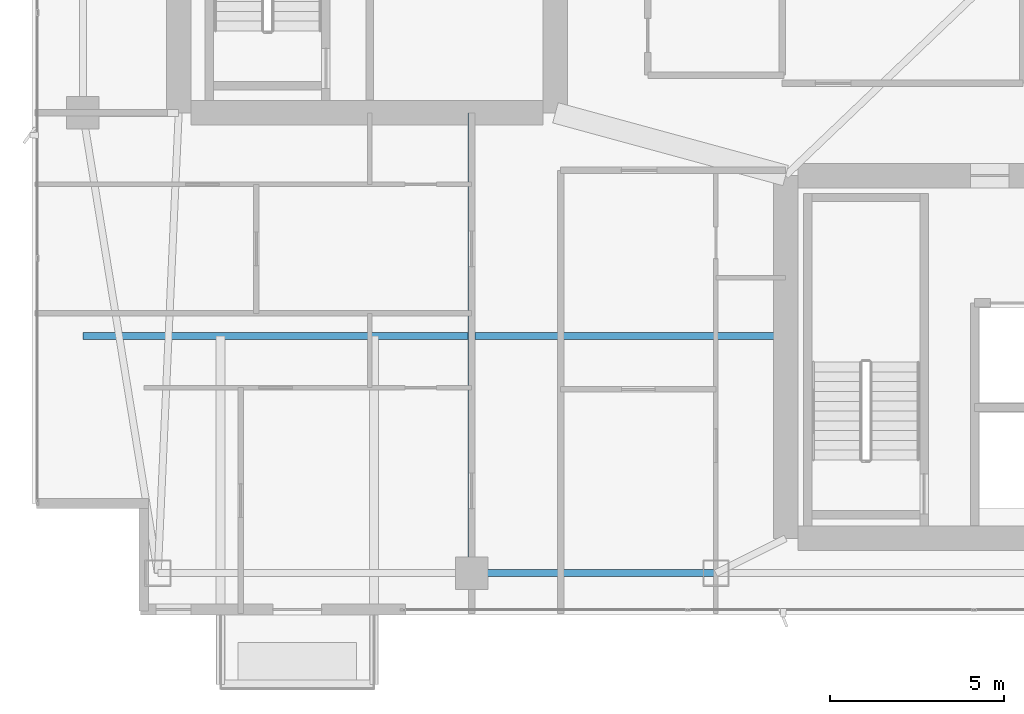
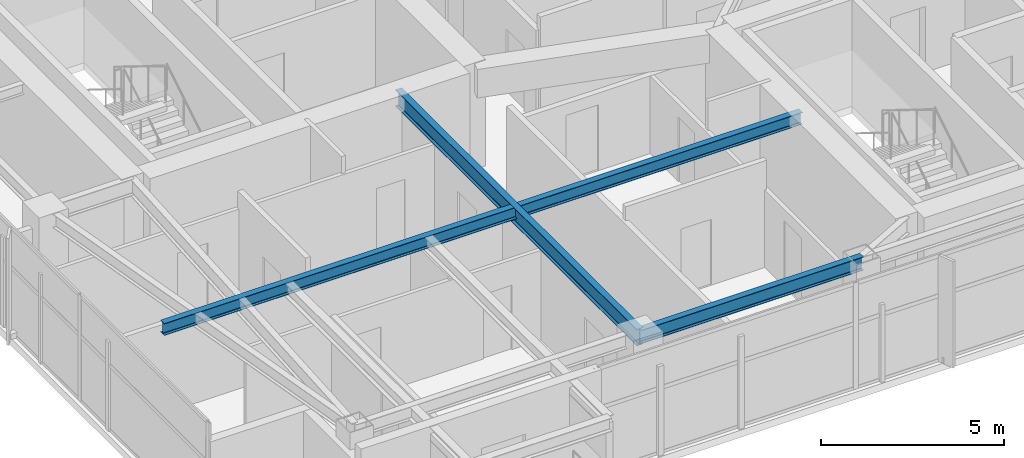
# One storey, part 6 of 29: 3 beams.
"""IFC4 building model written with IfcOpenShell, lengths in metres."""

from ifc_helpers import new_model, si_unit, direction, frame, origin, origin_2d, place, context, subcontext, project, spatial, i_section, extrude, material, material_profile, profile_set, type_object, element, save


model = new_model("IFC4")

# Units and contexts
model_context = context("Model", 3, precision=1e-05, world=origin(), true_north=direction((0.0, 1.0)))
body_context = subcontext(model_context, "Body", "Model", "MODEL_VIEW")
ifc_project = project(units=[si_unit("LENGTHUNIT", "METRE"), si_unit("AREAUNIT", "SQUARE_METRE"), si_unit("VOLUMEUNIT", "CUBIC_METRE"), si_unit("PLANEANGLEUNIT", "RADIAN"), si_unit("MASSUNIT", "GRAM", prefix="KILO")], contexts=[model_context])

# Site, building, storey
site_placement = place(None, origin())
site = spatial("IfcSite", under=ifc_project, at=site_placement, CompositionType="ELEMENT")
building_placement = place(site_placement, origin())
building = spatial("IfcBuilding", under=site, at=building_placement, Name="Calvorn Quay Hotel", CompositionType="ELEMENT")
storey_placement = place(building_placement, frame((0.0, 0.0, 255.199951171875)))
storey = spatial("IfcBuildingStorey", under=building, at=storey_placement, Name="L63", CompositionType="ELEMENT", Elevation=255.199951171875)

# Beams
ifc_material_1 = material(Name="Steel Q355B", Category="steel")
ifc_material_profile_1 = material_profile(ifc_material_1, i_section(OverallWidth=0.199951171875, OverallDepth=0.550048828125, WebThickness=0.010009765625, FlangeThickness=0.01611328125, FilletRadius=0.01806640625, at=origin_2d()), Name="HN550x200x10x16")
ifc_profile_set_1 = profile_set([ifc_material_profile_1], Name="Steel Q355B")
beam_type_1 = type_object("IfcBeamType", Name="BM-GIRD-UPP", PredefinedType="BEAM", material=ifc_profile_set_1)
beam_1_placement = place(storey_placement, frame((12.60009765625, 3.60009765625, 3.26513671875), z_axis=(0.0, 1.0, 0.0), x_axis=(-1.0, 0.0, 0.0)))
element("IfcBeam", 1, at=beam_1_placement, inside=storey, type_object=beam_type_1, Name="Beam BG-L63-S1", PredefinedType="BEAM", context=body_context, shape_type="SweptSolid", body=[
    extrude(i_section(OverallWidth=0.199951171875, OverallDepth=0.550048828125, WebThickness=0.010009765625, FlangeThickness=0.01611328125, FilletRadius=0.01806640625, at=origin_2d()), origin(), (0.0, 0.0, 1.0), 13.199951171875),
])
ifc_material_2 = material(Name="Steel Q355B", Category="steel")
ifc_material_profile_2 = material_profile(ifc_material_2, i_section(OverallWidth=0.199951171875, OverallDepth=0.39990234375, WebThickness=0.008056640625, FlangeThickness=0.012939453125, FilletRadius=0.01611328125, at=origin_2d()), Name="HN400x200x8x13")
ifc_profile_set_2 = profile_set([ifc_material_profile_2], Name="Steel Q355B")
beam_type_2 = type_object("IfcBeamType", Name="BM-JOIST-TYP", PredefinedType="JOIST", material=ifc_profile_set_2)
beam_2_placement = place(storey_placement, frame((1.449951171875, 10.39990234375, 3.340087890625), z_axis=(1.0, 0.0, 0.0), x_axis=(0.0, 1.0, 0.0)))
element("IfcBeam", 2, at=beam_2_placement, inside=storey, type_object=beam_type_2, Name="Beam BJ-L63-W1", PredefinedType="JOIST", context=body_context, shape_type="SweptSolid", body=[
    extrude(i_section(OverallWidth=0.199951171875, OverallDepth=0.39990234375, WebThickness=0.008056640625, FlangeThickness=0.012939453125, FilletRadius=0.01611328125, at=origin_2d()), origin(), (0.0, 0.0, 1.0), 20.150146484375),
])
ifc_material_3 = material(Name="Steel Q355B", Category="steel")
ifc_material_profile_3 = material_profile(ifc_material_3, i_section(OverallWidth=0.199951171875, OverallDepth=0.449951171875, WebThickness=0.009033203125, FlangeThickness=0.013916015625, FilletRadius=0.01611328125, at=origin_2d()), Name="HN450x200x9x14")
ifc_profile_set_3 = profile_set([ifc_material_profile_3], Name="Steel Q355B")
beam_type_3 = type_object("IfcBeamType", Name="BM-SPANDREL-Z3", PredefinedType="SPANDREL", material=ifc_profile_set_3)
beam_3_placement = place(storey_placement, frame((12.60009765625, 3.60009765625, 3.31494140625), z_axis=(1.0, 0.0, 0.0), x_axis=(0.0, 1.0, 0.0)))
element("IfcBeam", 3, at=beam_3_placement, inside=storey, type_object=beam_type_3, Name="Beam BSP-L63-S2", PredefinedType="SPANDREL", context=body_context, shape_type="SweptSolid", body=[
    extrude(i_section(OverallWidth=0.199951171875, OverallDepth=0.449951171875, WebThickness=0.009033203125, FlangeThickness=0.013916015625, FilletRadius=0.01611328125, at=origin_2d()), origin(), (0.0, 0.0, 1.0), 7.0),
])

save(model, "model.ifc")
